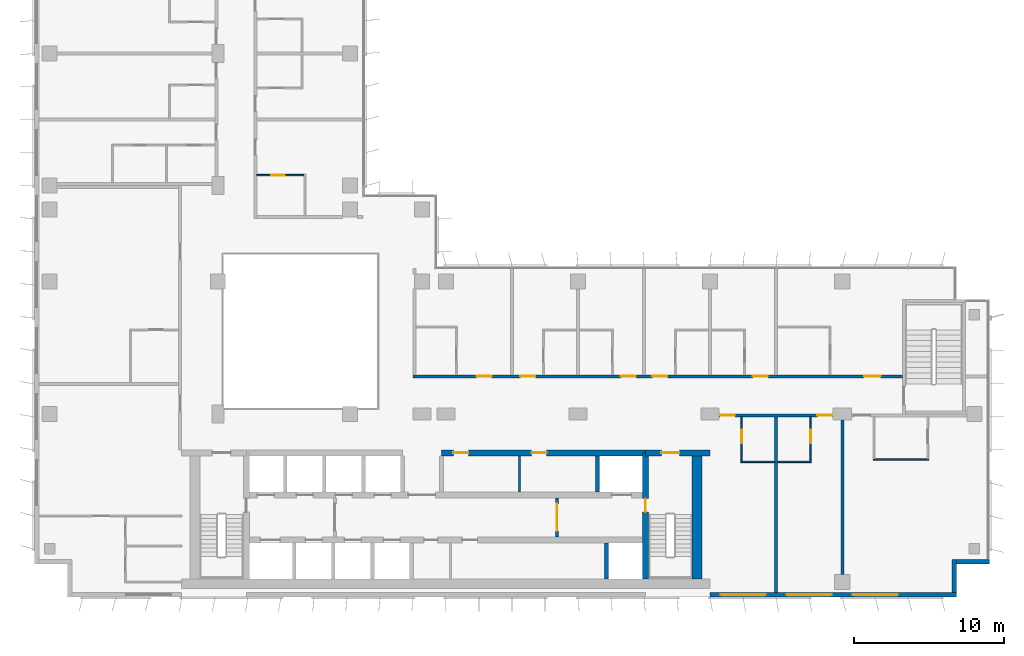
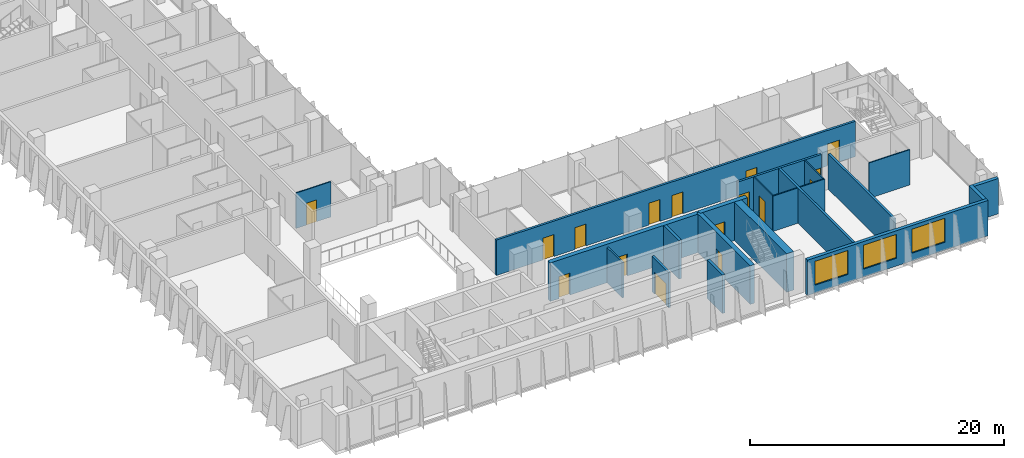
# One storey, part 14 of 21: 21 walls, 16 doors, 3 windows, 19 openings.
"""IFC4 building model written with IfcOpenShell, lengths in metres."""

from ifc_helpers import new_model, si_unit, direction, frame, frame_2d, origin, place, context, subcontext, project, spatial, rectangle, extrude, material, layer, layer_set, type_object, element, fill, save


model = new_model("IFC4")

# Units and contexts
model_context = context("Model", 3, precision=1e-05, world=origin(), true_north=direction((0.0, 1.0)))
body_context = subcontext(model_context, "Body", "Model", "MODEL_VIEW")
ifc_project = project(units=[si_unit("LENGTHUNIT", "METRE"), si_unit("AREAUNIT", "SQUARE_METRE"), si_unit("VOLUMEUNIT", "CUBIC_METRE"), si_unit("PLANEANGLEUNIT", "RADIAN"), si_unit("MASSUNIT", "GRAM", prefix="KILO")], contexts=[model_context])

# Site, building, storey
site_placement = place(None, origin())
site = spatial("IfcSite", under=ifc_project, at=site_placement, CompositionType="ELEMENT")
building_placement = place(site_placement, origin())
building = spatial("IfcBuilding", under=site, at=building_placement, Name="Kemantara Hotel Tower", CompositionType="ELEMENT")
storey_placement = place(building_placement, frame((0.0, 0.0, 156.800048828125)))
storey = spatial("IfcBuildingStorey", under=building, at=storey_placement, Name="L38", CompositionType="ELEMENT", Elevation=156.800048828125)

# Wall, openings, windows
ifc_material_1 = material(Name="Bronze anodised aluminium cladding on insulated steel stud wall", Category="steel")
ifc_layer_1 = layer(ifc_material_1, 0.300048828125)
ifc_layer_set_1 = layer_set([ifc_layer_1], Name="Bronze anodised aluminium cladding on insulated steel stud wall")
wall_type_1 = type_object("IfcWallType", Name="BRONZE METAL-CLAD EXTERNAL WALL 300", PredefinedType="STANDARD", material=ifc_layer_set_1)
wall_1_placement = place(storey_placement, frame((45.0, 0.14990234375, 0.0), z_axis=(0.0, 0.0, 1.0), x_axis=(1.0, 0.0, 0.0)))
wall_1 = element("IfcWall", 1, at=wall_1_placement, inside=storey, type_object=wall_type_1, Name="EXTERNAL WALL L38 T3-R08-3", PredefinedType="STANDARD", context=body_context, shape_type="SweptSolid", body=[
    extrude(rectangle(XDim=16.39990234375, YDim=0.300048828125, at=frame_2d((8.199951171875, 0.0))), origin(), (0.0, 0.0, 1.0), 3.39990234375),
])
opening_1_placement = place(wall_1_placement, frame((0.699951171875, 0.0, 0.75)))
opening_1 = element("IfcOpeningElement", 2, at=opening_1_placement, cuts=wall_1, Name="Opening W1", PredefinedType="OPENING", context=body_context, shape_type="SweptSolid", body=[
    extrude(rectangle(XDim=3.0, YDim=2.300048828125, at=frame_2d((1.5, 1.14990234375))), frame((0.0, 0.159912109375, 0.0), z_axis=(0.0, -1.0, 0.0), x_axis=(1.0, 0.0, 0.0)), (0.0, 0.0, 1.0), 0.320068359375),
])
opening_2_placement = place(wall_1_placement, frame((5.10009765625, 0.0, 0.75)))
opening_2 = element("IfcOpeningElement", 3, at=opening_2_placement, cuts=wall_1, Name="Opening W1", PredefinedType="OPENING", context=body_context, shape_type="SweptSolid", body=[
    extrude(rectangle(XDim=3.0, YDim=2.300048828125, at=frame_2d((1.5, 1.14990234375))), frame((0.0, 0.159912109375, 0.0), z_axis=(0.0, -1.0, 0.0), x_axis=(1.0, 0.0, 0.0)), (0.0, 0.0, 1.0), 0.320068359375),
])
opening_3_placement = place(wall_1_placement, frame((9.5, 0.0, 0.75)))
opening_3 = element("IfcOpeningElement", 4, at=opening_3_placement, cuts=wall_1, Name="Opening W1", PredefinedType="OPENING", context=body_context, shape_type="SweptSolid", body=[
    extrude(rectangle(XDim=3.0, YDim=2.300048828125, at=frame_2d((1.5, 1.14990234375))), frame((0.0, 0.159912109375, 0.0), z_axis=(0.0, -1.0, 0.0), x_axis=(1.0, 0.0, 0.0)), (0.0, 0.0, 1.0), 0.320068359375),
])
ifc_material_2 = material(Name="Low-E tinted double insulated glass in bronze anodised aluminium frame", Category="aluminium")
window_type = type_object("IfcWindowType", Name="CHICAGO WINDOW, TRIPLE PANEL 3000x2300", PartitioningType="TRIPLE_PANEL_VERTICAL", PredefinedType="WINDOW", material=ifc_material_2)
window_1_placement = place(opening_1_placement, origin())
window_1 = element("IfcWindow", 5, at=window_1_placement, inside=storey, type_object=window_type, Name="CHICAGO WINDOW L38 T3-R08-450", OverallHeight=2.300048828125, OverallWidth=3.0, PartitioningType="SINGLE_PANEL", PredefinedType="WINDOW", context=body_context, shape_type="SweptSolid", body=[
    extrude(rectangle(XDim=3.0, YDim=2.300048828125, at=frame_2d((1.5, 1.14990234375))), frame((0.0, 0.030029296875, 0.0), z_axis=(0.0, -1.0, 0.0), x_axis=(1.0, 0.0, 0.0)), (0.0, 0.0, 1.0), 0.06005859375),
])
fill(opening_1, window_1)
window_2_placement = place(opening_2_placement, origin())
window_2 = element("IfcWindow", 6, at=window_2_placement, inside=storey, type_object=window_type, Name="CHICAGO WINDOW L38 T3-R08-494", OverallHeight=2.300048828125, OverallWidth=3.0, PartitioningType="SINGLE_PANEL", PredefinedType="WINDOW", context=body_context, shape_type="SweptSolid", body=[
    extrude(rectangle(XDim=3.0, YDim=2.300048828125, at=frame_2d((1.5, 1.14990234375))), frame((0.0, 0.030029296875, 0.0), z_axis=(0.0, -1.0, 0.0), x_axis=(1.0, 0.0, 0.0)), (0.0, 0.0, 1.0), 0.06005859375),
])
fill(opening_2, window_2)
window_3_placement = place(opening_3_placement, origin())
window_3 = element("IfcWindow", 7, at=window_3_placement, inside=storey, type_object=window_type, Name="CHICAGO WINDOW L38 T3-R08-538", OverallHeight=2.300048828125, OverallWidth=3.0, PartitioningType="SINGLE_PANEL", PredefinedType="WINDOW", context=body_context, shape_type="SweptSolid", body=[
    extrude(rectangle(XDim=3.0, YDim=2.300048828125, at=frame_2d((1.5, 1.14990234375))), frame((0.0, 0.030029296875, 0.0), z_axis=(0.0, -1.0, 0.0), x_axis=(1.0, 0.0, 0.0)), (0.0, 0.0, 1.0), 0.06005859375),
])
fill(opening_3, window_3)

# Walls
wall_2_placement = place(storey_placement, frame((61.25, 0.300048828125, 0.0), z_axis=(0.0, 0.0, 1.0), x_axis=(0.0, 1.0, 0.0)))
element("IfcWall", 8, at=wall_2_placement, inside=storey, type_object=wall_type_1, Name="EXTERNAL WALL L38 T3-R09", PredefinedType="STANDARD", context=body_context, shape_type="SweptSolid", body=[
    extrude(rectangle(XDim=2.199951171875, YDim=0.300048828125, at=frame_2d((1.10009765625, 0.0))), origin(), (0.0, 0.0, 1.0), 3.39990234375),
])
wall_3_placement = place(storey_placement, frame((61.39990234375, 2.35009765625, 0.0), z_axis=(0.0, 0.0, 1.0), x_axis=(1.0, 0.0, 0.0)))
element("IfcWall", 9, at=wall_3_placement, inside=storey, type_object=wall_type_1, Name="EXTERNAL WALL L38 T3-R10", PredefinedType="STANDARD", context=body_context, shape_type="SweptSolid", body=[
    extrude(rectangle(XDim=2.2001953125, YDim=0.300048828125, at=frame_2d((1.10009765625, 0.0))), origin(), (0.0, 0.0, 1.0), 3.39990234375),
])
ifc_material_3 = material(Name="Concrete fc 60 MPa", Category="concrete")
ifc_layer_2 = layer(ifc_material_3, 0.25)
ifc_layer_set_2 = layer_set([ifc_layer_2], Name="Concrete fc 60 MPa")
wall_type_2 = type_object("IfcWallType", Name="CORE WALL 250 FC60", PredefinedType="SHEAR", material=ifc_layer_set_2)
wall_4_placement = place(storey_placement, frame((38.10009765625, 1.199951171875, 0.0), z_axis=(0.0, 0.0, 1.0), x_axis=(0.0, 1.0, 0.0)))
element("IfcWall", 10, at=wall_4_placement, inside=storey, type_object=wall_type_2, Name="CORE WALL CW-DS38.1", PredefinedType="SHEAR", context=body_context, shape_type="SweptSolid", body=[
    extrude(rectangle(XDim=2.400146484375, YDim=0.25, at=frame_2d((1.2001953125, 0.0))), origin(), (0.0, 0.0, 1.0), 3.699951171875),
])
wall_5_placement = place(storey_placement, frame((37.5, 7.0, 0.0), z_axis=(0.0, 0.0, 1.0), x_axis=(0.0, 1.0, 0.0)))
element("IfcWall", 11, at=wall_5_placement, inside=storey, type_object=wall_type_2, Name="CORE WALL CW-DN37.5", PredefinedType="SHEAR", context=body_context, shape_type="SweptSolid", body=[
    extrude(rectangle(XDim=2.39990234375, YDim=0.25, at=frame_2d((1.199951171875, 0.0))), origin(), (0.0, 0.0, 1.0), 3.699951171875),
])

# Wall, opening, door
ifc_layer_3 = layer(ifc_material_3, 0.39990234375)
ifc_layer_set_3 = layer_set([ifc_layer_3], Name="Concrete fc 60 MPa")
wall_type_3 = type_object("IfcWallType", Name="CORE WALL 400 FC60", PredefinedType="SHEAR", material=ifc_layer_set_3)
wall_6_placement = place(storey_placement, frame((40.699951171875, 9.60009765625, 0.0), z_axis=(0.0, 0.0, 1.0), x_axis=(1.0, 0.0, 0.0)))
wall_6 = element("IfcWall", 12, at=wall_6_placement, inside=storey, type_object=wall_type_3, Name="CORE WALL CW-N2", PredefinedType="SHEAR", context=body_context, shape_type="SweptSolid", body=[
    extrude(rectangle(XDim=4.300048828125, YDim=0.39990234375, at=frame_2d((2.14990234375, 0.0))), origin(), (0.0, 0.0, 1.0), 3.699951171875),
])
opening_4_placement = place(wall_6_placement, frame((1.050048828125, 0.0, 0.0)))
opening_4 = element("IfcOpeningElement", 13, at=opening_4_placement, cuts=wall_6, Name="Opening C25-ST2-C", PredefinedType="OPENING", context=body_context, shape_type="SweptSolid", body=[
    extrude(rectangle(XDim=1.199951171875, YDim=2.10009765625, at=frame_2d((0.60009765625, 1.050048828125))), frame((0.0, 0.2099609375, 0.0), z_axis=(0.0, -1.0, 0.0), x_axis=(1.0, 0.0, 0.0)), (0.0, 0.0, 1.0), 0.419921875),
])
ifc_material_4 = material(Name="Steel fire door", Category="steel")
door_type_1 = type_object("IfcDoorType", Name="Fire door FD90 1200 x 2100", OperationType="NOTDEFINED", PredefinedType="DOOR", material=ifc_material_4)
door_1_placement = place(opening_4_placement, frame((1.199951171875, 0.0, 0.0), z_axis=(0.0, 0.0, 1.0), x_axis=(-1.0, 0.0, 0.0)))
door_1 = element("IfcDoor", 14, at=door_1_placement, inside=storey, type_object=door_type_1, Name="Stair ST2 door to corridor", OperationType="SINGLE_SWING_RIGHT", OverallHeight=2.10009765625, OverallWidth=1.199951171875, PredefinedType="DOOR", context=body_context, shape_type="SweptSolid", body=[
    extrude(rectangle(XDim=1.199951171875, YDim=2.10009765625, at=frame_2d((0.60009765625, 1.050048828125))), frame((0.0, 0.02490234375, 0.0), z_axis=(0.0, -1.0, 0.0), x_axis=(1.0, 0.0, 0.0)), (0.0, 0.0, 1.0), 0.050048828125),
])
fill(opening_4, door_1)

# Wall, openings, doors
wall_7_placement = place(storey_placement, frame((27.10009765625, 9.60009765625, 0.0), z_axis=(0.0, 0.0, 1.0), x_axis=(1.0, 0.0, 0.0)))
wall_7 = element("IfcWall", 15, at=wall_7_placement, inside=storey, type_object=wall_type_3, Name="CORE WALL CW-NN2", PredefinedType="SHEAR", context=body_context, shape_type="SweptSolid", body=[
    extrude(rectangle(XDim=13.599853515625, YDim=0.39990234375, at=frame_2d((6.7998046875, 0.0))), origin(), (0.0, 0.0, 1.0), 3.699951171875),
])
opening_5_placement = place(wall_7_placement, frame((0.800048828125, 0.0, 0.0)))
opening_5 = element("IfcOpeningElement", 16, at=opening_5_placement, cuts=wall_7, Name="Opening C25-R-NE1", PredefinedType="OPENING", context=body_context, shape_type="SweptSolid", body=[
    extrude(rectangle(XDim=1.0, YDim=2.10009765625, at=frame_2d((0.5, 1.050048828125))), frame((0.0, 0.2099609375, 0.0), z_axis=(0.0, -1.0, 0.0), x_axis=(1.0, 0.0, 0.0)), (0.0, 0.0, 1.0), 0.419921875),
])
opening_6_placement = place(wall_7_placement, frame((6.0, 0.0, 0.0)))
opening_6 = element("IfcOpeningElement", 17, at=opening_6_placement, cuts=wall_7, Name="Opening C25-R-NE2", PredefinedType="OPENING", context=body_context, shape_type="SweptSolid", body=[
    extrude(rectangle(XDim=1.0, YDim=2.10009765625, at=frame_2d((0.5, 1.050048828125))), frame((0.0, 0.2099609375, 0.0), z_axis=(0.0, -1.0, 0.0), x_axis=(1.0, 0.0, 0.0)), (0.0, 0.0, 1.0), 0.419921875),
])
door_type_2 = type_object("IfcDoorType", Name="Fire door FD30S 1000 x 2100", OperationType="NOTDEFINED", PredefinedType="DOOR", material=ifc_material_4)
door_2_placement = place(opening_5_placement, frame((1.0, 0.0, 0.0), z_axis=(0.0, 0.0, 1.0), x_axis=(-1.0, 0.0, 0.0)))
door_2 = element("IfcDoor", 18, at=door_2_placement, inside=storey, type_object=door_type_2, Name="Housekeeping Store door", OperationType="SINGLE_SWING_RIGHT", OverallHeight=2.10009765625, OverallWidth=1.0, PredefinedType="DOOR", context=body_context, shape_type="SweptSolid", body=[
    extrude(rectangle(XDim=1.0, YDim=2.10009765625, at=frame_2d((0.5, 1.050048828125))), frame((0.0, 0.02490234375, 0.0), z_axis=(0.0, -1.0, 0.0), x_axis=(1.0, 0.0, 0.0)), (0.0, 0.0, 1.0), 0.050048828125),
])
fill(opening_5, door_2)
door_type_3 = type_object("IfcDoorType", Name="Fire door FD60 1000 x 2100", OperationType="NOTDEFINED", PredefinedType="DOOR", material=ifc_material_4)
door_3_placement = place(opening_6_placement, frame((1.0, 0.0, 0.0), z_axis=(0.0, 0.0, 1.0), x_axis=(-1.0, 0.0, 0.0)))
door_3 = element("IfcDoor", 19, at=door_3_placement, inside=storey, type_object=door_type_3, Name="It Equipment Room door", OperationType="SINGLE_SWING_RIGHT", OverallHeight=2.10009765625, OverallWidth=1.0, PredefinedType="DOOR", context=body_context, shape_type="SweptSolid", body=[
    extrude(rectangle(XDim=1.0, YDim=2.10009765625, at=frame_2d((0.5, 1.050048828125))), frame((0.0, 0.02490234375, 0.0), z_axis=(0.0, -1.0, 0.0), x_axis=(1.0, 0.0, 0.0)), (0.0, 0.0, 1.0), 0.050048828125),
])
fill(opening_6, door_3)

# Wall, opening, door
wall_8_placement = place(storey_placement, frame((40.699951171875, 1.199951171875, 0.0), z_axis=(0.0, 0.0, 1.0), x_axis=(0.0, 1.0, 0.0)))
wall_8 = element("IfcWall", 20, at=wall_8_placement, inside=storey, type_object=wall_type_3, Name="CORE WALL CW-ST2W", PredefinedType="SHEAR", context=body_context, shape_type="SweptSolid", body=[
    extrude(rectangle(XDim=8.400146484375, YDim=0.39990234375, at=frame_2d((4.2001953125, 0.0))), origin(), (0.0, 0.0, 1.0), 3.699951171875),
])
opening_7_placement = place(wall_8_placement, frame((4.449951171875, 0.0, 0.0)))
opening_7 = element("IfcOpeningElement", 21, at=opening_7_placement, cuts=wall_8, Name="Opening C25-ST2-F", PredefinedType="OPENING", context=body_context, shape_type="SweptSolid", body=[
    extrude(rectangle(XDim=0.89990234375, YDim=2.10009765625, at=frame_2d((0.449951171875, 1.050048828125))), frame((0.0, 0.2099609375, 0.0), z_axis=(0.0, -1.0, 0.0), x_axis=(1.0, 0.0, 0.0)), (0.0, 0.0, 1.0), 0.419921875),
])
door_type_4 = type_object("IfcDoorType", Name="Fire door FD90 900 x 2100", OperationType="NOTDEFINED", PredefinedType="DOOR", material=ifc_material_4)
door_4_placement = place(opening_7_placement, frame((0.89990234375, 0.0, 0.0), z_axis=(0.0, 0.0, 1.0), x_axis=(-1.0, 0.0, 0.0)))
door_4 = element("IfcDoor", 22, at=door_4_placement, inside=storey, type_object=door_type_4, Name="Stair ST2 door to firefighting lobby", OperationType="SINGLE_SWING_LEFT", OverallHeight=2.10009765625, OverallWidth=0.89990234375, PredefinedType="DOOR", context=body_context, shape_type="SweptSolid", body=[
    extrude(rectangle(XDim=0.89990234375, YDim=2.10009765625, at=frame_2d((0.449951171875, 1.050048828125))), frame((0.0, 0.02490234375, 0.0), z_axis=(0.0, -1.0, 0.0), x_axis=(1.0, 0.0, 0.0)), (0.0, 0.0, 1.0), 0.050048828125),
])
fill(opening_7, door_4)

# Wall
ifc_layer_4 = layer(ifc_material_3, 0.64990234375)
ifc_layer_set_4 = layer_set([ifc_layer_4], Name="Concrete fc 60 MPa")
wall_type_4 = type_object("IfcWallType", Name="CORE WALL 650 FC60", PredefinedType="SHEAR", material=ifc_layer_set_4)
wall_9_placement = place(storey_placement, frame((44.125, 1.199951171875, 0.0), z_axis=(0.0, 0.0, 1.0), x_axis=(0.0, 1.0, 0.0)))
element("IfcWall", 23, at=wall_9_placement, inside=storey, type_object=wall_type_4, Name="CORE WALL CW-E", PredefinedType="SHEAR", context=body_context, shape_type="SweptSolid", body=[
    extrude(rectangle(XDim=8.60009765625, YDim=0.64990234375, at=frame_2d((4.300048828125, 0.0))), origin(), (0.0, 0.0, 1.0), 3.699951171875),
])

# Wall, openings, doors
ifc_material_5 = material(Name="Gypsum board partition, steel studs and mineral wool, 200 mm", Category="steel")
ifc_layer_5 = layer(ifc_material_5, 0.199951171875)
ifc_layer_set_5 = layer_set([ifc_layer_5], Name="Gypsum board partition, steel studs and mineral wool, 200 mm")
wall_type_5 = type_object("IfcWallType", Name="CORRIDOR WALL 200", PredefinedType="PARTITIONING", material=ifc_layer_set_5)
wall_10_placement = place(storey_placement, frame((53.199951171875, 12.10009765625, 0.0), z_axis=(0.0, 0.0, 1.0), x_axis=(-1.0, 0.0, 0.0)))
wall_10 = element("IfcWall", 24, at=wall_10_placement, inside=storey, type_object=wall_type_5, Name="CORRIDOR WALL 200 001", PredefinedType="PARTITIONING", context=body_context, shape_type="SweptSolid", body=[
    extrude(rectangle(XDim=7.599853515625, YDim=0.199951171875, at=frame_2d((3.7998046875, 0.0))), origin(), (0.0, 0.0, 1.0), 3.39990234375),
])
opening_8_placement = place(wall_10_placement, frame((6.5498046875, 0.0, 0.0)))
opening_8 = element("IfcOpeningElement", 25, at=opening_8_placement, cuts=wall_10, Name="Opening F17-001", PredefinedType="OPENING", context=body_context, shape_type="SweptSolid", body=[
    extrude(rectangle(XDim=1.0, YDim=2.10009765625, at=frame_2d((0.5, 1.050048828125))), frame((0.0, 0.10986328125, 0.0), z_axis=(0.0, -1.0, 0.0), x_axis=(1.0, 0.0, 0.0)), (0.0, 0.0, 1.0), 0.219970703125),
])
opening_9_placement = place(wall_10_placement, frame((0.0498046875, 0.0, 0.0)))
opening_9 = element("IfcOpeningElement", 26, at=opening_9_placement, cuts=wall_10, Name="Opening F17-003", PredefinedType="OPENING", context=body_context, shape_type="SweptSolid", body=[
    extrude(rectangle(XDim=1.0, YDim=2.10009765625, at=frame_2d((0.5, 1.050048828125))), frame((0.0, 0.10986328125, 0.0), z_axis=(0.0, -1.0, 0.0), x_axis=(1.0, 0.0, 0.0)), (0.0, 0.0, 1.0), 0.219970703125),
])
ifc_material_6 = material(Name="Hardwood veneer door leaf with steel frame", Category="steel")
door_type_5 = type_object("IfcDoorType", Name="GUEST ROOM DOOR 1000 X 2100 FD30S", OperationType="NOTDEFINED", PredefinedType="DOOR", material=ifc_material_6)
door_5_placement = place(opening_8_placement, origin())
door_5 = element("IfcDoor", 27, at=door_5_placement, inside=storey, type_object=door_type_5, Name="GUEST ROOM DOOR F17-001", OperationType="SINGLE_SWING_RIGHT", OverallHeight=2.10009765625, OverallWidth=1.0, PredefinedType="DOOR", context=body_context, shape_type="SweptSolid", body=[
    extrude(rectangle(XDim=1.0, YDim=2.10009765625, at=frame_2d((0.5, 1.050048828125))), frame((0.0, 0.02490234375, 0.0), z_axis=(0.0, -1.0, 0.0), x_axis=(1.0, 0.0, 0.0)), (0.0, 0.0, 1.0), 0.050048828125),
])
fill(opening_8, door_5)
door_6_placement = place(opening_9_placement, origin())
door_6 = element("IfcDoor", 28, at=door_6_placement, inside=storey, type_object=door_type_5, Name="GUEST ROOM DOOR F17-003", OperationType="SINGLE_SWING_LEFT", OverallHeight=2.10009765625, OverallWidth=1.0, PredefinedType="DOOR", context=body_context, shape_type="SweptSolid", body=[
    extrude(rectangle(XDim=1.0, YDim=2.10009765625, at=frame_2d((0.5, 1.050048828125))), frame((0.0, 0.02490234375, 0.0), z_axis=(0.0, -1.0, 0.0), x_axis=(1.0, 0.0, 0.0)), (0.0, 0.0, 1.0), 0.050048828125),
])
fill(opening_9, door_6)

wall_11_placement = place(storey_placement, frame((25.199951171875, 14.699951171875, 0.0), z_axis=(0.0, 0.0, 1.0), x_axis=(1.0, 0.0, 0.0)))
wall_11 = element("IfcWall", 29, at=wall_11_placement, inside=storey, type_object=wall_type_5, Name="CORRIDOR WALL 200 006", PredefinedType="PARTITIONING", context=body_context, shape_type="SweptSolid", body=[
    extrude(rectangle(XDim=32.60009765625, YDim=0.199951171875, at=frame_2d((16.300048828125, 0.0))), origin(), (0.0, 0.0, 1.0), 3.39990234375),
])
opening_10_placement = place(wall_11_placement, frame((4.25, 0.0, 0.0)))
opening_10 = element("IfcOpeningElement", 30, at=opening_10_placement, cuts=wall_11, Name="Opening F17-007", PredefinedType="OPENING", context=body_context, shape_type="SweptSolid", body=[
    extrude(rectangle(XDim=1.0, YDim=2.10009765625, at=frame_2d((0.5, 1.050048828125))), frame((0.0, 0.10986328125, 0.0), z_axis=(0.0, -1.0, 0.0), x_axis=(1.0, 0.0, 0.0)), (0.0, 0.0, 1.0), 0.219970703125),
])
opening_11_placement = place(wall_11_placement, frame((7.14990234375, 0.0, 0.0)))
opening_11 = element("IfcOpeningElement", 31, at=opening_11_placement, cuts=wall_11, Name="Opening F17-009", PredefinedType="OPENING", context=body_context, shape_type="SweptSolid", body=[
    extrude(rectangle(XDim=1.0, YDim=2.10009765625, at=frame_2d((0.5, 1.050048828125))), frame((0.0, 0.10986328125, 0.0), z_axis=(0.0, -1.0, 0.0), x_axis=(1.0, 0.0, 0.0)), (0.0, 0.0, 1.0), 0.219970703125),
])
opening_12_placement = place(wall_11_placement, frame((13.85009765625, 0.0, 0.0)))
opening_12 = element("IfcOpeningElement", 32, at=opening_12_placement, cuts=wall_11, Name="Opening F17-011", PredefinedType="OPENING", context=body_context, shape_type="SweptSolid", body=[
    extrude(rectangle(XDim=1.0, YDim=2.10009765625, at=frame_2d((0.5, 1.050048828125))), frame((0.0, 0.10986328125, 0.0), z_axis=(0.0, -1.0, 0.0), x_axis=(1.0, 0.0, 0.0)), (0.0, 0.0, 1.0), 0.219970703125),
])
opening_13_placement = place(wall_11_placement, frame((15.949951171875, 0.0, 0.0)))
opening_13 = element("IfcOpeningElement", 33, at=opening_13_placement, cuts=wall_11, Name="Opening F17-013", PredefinedType="OPENING", context=body_context, shape_type="SweptSolid", body=[
    extrude(rectangle(XDim=1.0, YDim=2.10009765625, at=frame_2d((0.5, 1.050048828125))), frame((0.0, 0.10986328125, 0.0), z_axis=(0.0, -1.0, 0.0), x_axis=(1.0, 0.0, 0.0)), (0.0, 0.0, 1.0), 0.219970703125),
])
opening_14_placement = place(wall_11_placement, frame((22.64990234375, 0.0, 0.0)))
opening_14 = element("IfcOpeningElement", 34, at=opening_14_placement, cuts=wall_11, Name="Opening F17-015", PredefinedType="OPENING", context=body_context, shape_type="SweptSolid", body=[
    extrude(rectangle(XDim=1.0, YDim=2.10009765625, at=frame_2d((0.5, 1.050048828125))), frame((0.0, 0.10986328125, 0.0), z_axis=(0.0, -1.0, 0.0), x_axis=(1.0, 0.0, 0.0)), (0.0, 0.0, 1.0), 0.219970703125),
])
opening_15_placement = place(wall_11_placement, frame((30.050048828125, 0.0, 0.0)))
opening_15 = element("IfcOpeningElement", 35, at=opening_15_placement, cuts=wall_11, Name="Opening F17-017", PredefinedType="OPENING", context=body_context, shape_type="SweptSolid", body=[
    extrude(rectangle(XDim=1.10009765625, YDim=2.10009765625, at=frame_2d((0.550048828125, 1.050048828125))), frame((0.0, 0.10986328125, 0.0), z_axis=(0.0, -1.0, 0.0), x_axis=(1.0, 0.0, 0.0)), (0.0, 0.0, 1.0), 0.219970703125),
])
door_7_placement = place(opening_10_placement, origin())
door_7 = element("IfcDoor", 36, at=door_7_placement, inside=storey, type_object=door_type_5, Name="GUEST ROOM DOOR F17-007", OperationType="SINGLE_SWING_RIGHT", OverallHeight=2.10009765625, OverallWidth=1.0, PredefinedType="DOOR", context=body_context, shape_type="SweptSolid", body=[
    extrude(rectangle(XDim=1.0, YDim=2.10009765625, at=frame_2d((0.5, 1.050048828125))), frame((0.0, 0.02490234375, 0.0), z_axis=(0.0, -1.0, 0.0), x_axis=(1.0, 0.0, 0.0)), (0.0, 0.0, 1.0), 0.050048828125),
])
fill(opening_10, door_7)
door_8_placement = place(opening_11_placement, origin())
door_8 = element("IfcDoor", 37, at=door_8_placement, inside=storey, type_object=door_type_5, Name="GUEST ROOM DOOR F17-009", OperationType="SINGLE_SWING_LEFT", OverallHeight=2.10009765625, OverallWidth=1.0, PredefinedType="DOOR", context=body_context, shape_type="SweptSolid", body=[
    extrude(rectangle(XDim=1.0, YDim=2.10009765625, at=frame_2d((0.5, 1.050048828125))), frame((0.0, 0.02490234375, 0.0), z_axis=(0.0, -1.0, 0.0), x_axis=(1.0, 0.0, 0.0)), (0.0, 0.0, 1.0), 0.050048828125),
])
fill(opening_11, door_8)
door_9_placement = place(opening_12_placement, origin())
door_9 = element("IfcDoor", 38, at=door_9_placement, inside=storey, type_object=door_type_5, Name="GUEST ROOM DOOR F17-011", OperationType="SINGLE_SWING_RIGHT", OverallHeight=2.10009765625, OverallWidth=1.0, PredefinedType="DOOR", context=body_context, shape_type="SweptSolid", body=[
    extrude(rectangle(XDim=1.0, YDim=2.10009765625, at=frame_2d((0.5, 1.050048828125))), frame((0.0, 0.02490234375, 0.0), z_axis=(0.0, -1.0, 0.0), x_axis=(1.0, 0.0, 0.0)), (0.0, 0.0, 1.0), 0.050048828125),
])
fill(opening_12, door_9)
door_10_placement = place(opening_13_placement, origin())
door_10 = element("IfcDoor", 39, at=door_10_placement, inside=storey, type_object=door_type_5, Name="GUEST ROOM DOOR F17-013", OperationType="SINGLE_SWING_LEFT", OverallHeight=2.10009765625, OverallWidth=1.0, PredefinedType="DOOR", context=body_context, shape_type="SweptSolid", body=[
    extrude(rectangle(XDim=1.0, YDim=2.10009765625, at=frame_2d((0.5, 1.050048828125))), frame((0.0, 0.02490234375, 0.0), z_axis=(0.0, -1.0, 0.0), x_axis=(1.0, 0.0, 0.0)), (0.0, 0.0, 1.0), 0.050048828125),
])
fill(opening_13, door_10)
door_11_placement = place(opening_14_placement, origin())
door_11 = element("IfcDoor", 40, at=door_11_placement, inside=storey, type_object=door_type_5, Name="GUEST ROOM DOOR F17-015", OperationType="SINGLE_SWING_RIGHT", OverallHeight=2.10009765625, OverallWidth=1.0, PredefinedType="DOOR", context=body_context, shape_type="SweptSolid", body=[
    extrude(rectangle(XDim=1.0, YDim=2.10009765625, at=frame_2d((0.5, 1.050048828125))), frame((0.0, 0.02490234375, 0.0), z_axis=(0.0, -1.0, 0.0), x_axis=(1.0, 0.0, 0.0)), (0.0, 0.0, 1.0), 0.050048828125),
])
fill(opening_14, door_11)
door_type_6 = type_object("IfcDoorType", Name="SUITE ENTRANCE DOOR 1100 X 2100 FD30S", OperationType="NOTDEFINED", PredefinedType="DOOR", material=ifc_material_6)
door_12_placement = place(opening_15_placement, origin())
door_12 = element("IfcDoor", 41, at=door_12_placement, inside=storey, type_object=door_type_6, Name="SUITE ENTRANCE DOOR F17-017", OperationType="SINGLE_SWING_RIGHT", OverallHeight=2.10009765625, OverallWidth=1.10009765625, PredefinedType="DOOR", context=body_context, shape_type="SweptSolid", body=[
    extrude(rectangle(XDim=1.10009765625, YDim=2.10009765625, at=frame_2d((0.550048828125, 1.050048828125))), frame((0.0, 0.02490234375, 0.0), z_axis=(0.0, -1.0, 0.0), x_axis=(1.0, 0.0, 0.0)), (0.0, 0.0, 1.0), 0.050048828125),
])
fill(opening_15, door_12)

# Walls
ifc_layer_6 = layer(ifc_material_5, 0.199951171875)
ifc_layer_set_6 = layer_set([ifc_layer_6], Name="Gypsum board partition, steel studs and mineral wool, 200 mm")
wall_type_6 = type_object("IfcWallType", Name="GUEST ROOM PARTY WALL 200", PredefinedType="PARTITIONING", material=ifc_layer_set_6)
wall_12_placement = place(storey_placement, frame((49.39990234375, 0.31005859375, 0.0), z_axis=(0.0, 0.0, 1.0), x_axis=(0.0, 1.0, 0.0)))
element("IfcWall", 42, at=wall_12_placement, inside=storey, type_object=wall_type_6, Name="GUEST ROOM PARTY WALL 200 003", PredefinedType="PARTITIONING", context=body_context, shape_type="SweptSolid", body=[
    extrude(rectangle(XDim=11.68994140625, YDim=0.199951171875, at=frame_2d((5.844970703125, 0.0))), origin(), (0.0, 0.0, 1.0), 3.39990234375),
])
wall_13_placement = place(storey_placement, frame((53.800048828125, 1.5, 0.0), z_axis=(0.0, 0.0, 1.0), x_axis=(0.0, 1.0, 0.0)))
element("IfcWall", 43, at=wall_13_placement, inside=storey, type_object=wall_type_6, Name="GUEST ROOM PARTY WALL 200 005", PredefinedType="PARTITIONING", context=body_context, shape_type="SweptSolid", body=[
    extrude(rectangle(XDim=10.2998046875, YDim=0.199951171875, at=frame_2d((5.14990234375, 0.0))), origin(), (0.0, 0.0, 1.0), 3.39990234375),
])
ifc_material_7 = material(Name="Gypsum board partition")
ifc_layer_7 = layer(ifc_material_7, 0.14990234375)
ifc_layer_set_7 = layer_set([ifc_layer_7], Name="Gypsum board partition")
wall_type_7 = type_object("IfcWallType", Name="Gypsum board partition 150 mm", PredefinedType="PARTITIONING", material=ifc_layer_set_7)
wall_14_placement = place(storey_placement, frame((32.300048828125, 7.0, 0.0), z_axis=(0.0, 0.0, 1.0), x_axis=(0.0, 1.0, 0.0)))
element("IfcWall", 44, at=wall_14_placement, inside=storey, type_object=wall_type_7, Name="Core room partition", PredefinedType="PARTITIONING", context=body_context, shape_type="SweptSolid", body=[
    extrude(rectangle(XDim=2.39990234375, YDim=0.14990234375, at=frame_2d((1.199951171875, 0.0))), origin(), (0.0, 0.0, 1.0), 3.39990234375),
])

# Wall, opening, door
ifc_material_8 = material(Name="Gypsum board shaft wall")
ifc_layer_8 = layer(ifc_material_8, 0.199951171875)
ifc_layer_set_8 = layer_set([ifc_layer_8], Name="Gypsum board shaft wall")
wall_type_8 = type_object("IfcWallType", Name="Gypsum board shaft wall 200 mm", PredefinedType="PARTITIONING", material=ifc_layer_set_8)
wall_15_placement = place(storey_placement, frame((34.800048828125, 4.0, 0.0), z_axis=(0.0, 0.0, 1.0), x_axis=(0.0, 1.0, 0.0)))
wall_15 = element("IfcWall", 45, at=wall_15_placement, inside=storey, type_object=wall_type_8, Name="Firefighting lobby partition east", PredefinedType="PARTITIONING", context=body_context, shape_type="SweptSolid", body=[
    extrude(rectangle(XDim=2.60009765625, YDim=0.199951171875, at=frame_2d((1.300048828125, 0.0))), origin(), (0.0, 0.0, 1.0), 3.39990234375),
])
opening_16_placement = place(wall_15_placement, frame((0.39990234375, 0.0, 0.0)))
opening_16 = element("IfcOpeningElement", 46, at=opening_16_placement, cuts=wall_15, Name="Opening C25-FFE", PredefinedType="OPENING", context=body_context, shape_type="SweptSolid", body=[
    extrude(rectangle(XDim=1.800048828125, YDim=2.10009765625, at=frame_2d((0.89990234375, 1.050048828125))), frame((0.0, 0.10986328125, 0.0), z_axis=(0.0, -1.0, 0.0), x_axis=(1.0, 0.0, 0.0)), (0.0, 0.0, 1.0), 0.219970703125),
])
door_type_7 = type_object("IfcDoorType", Name="Fire door pair FD60 1800 x 2100", OperationType="DOUBLE_DOOR_SINGLE_SWING", PredefinedType="DOOR", material=ifc_material_4)
door_13_placement = place(opening_16_placement, frame((1.800048828125, 0.0, 0.0), z_axis=(0.0, 0.0, 1.0), x_axis=(-1.0, 0.0, 0.0)))
door_13 = element("IfcDoor", 47, at=door_13_placement, inside=storey, type_object=door_type_7, Name="Firefighting lobby door east", OperationType="DOUBLE_DOOR_SINGLE_SWING", OverallHeight=2.10009765625, OverallWidth=1.800048828125, PredefinedType="DOOR", context=body_context, shape_type="SweptSolid", body=[
    extrude(rectangle(XDim=1.800048828125, YDim=2.10009765625, at=frame_2d((0.89990234375, 1.050048828125))), frame((0.0, 0.02490234375, 0.0), z_axis=(0.0, -1.0, 0.0), x_axis=(1.0, 0.0, 0.0)), (0.0, 0.0, 1.0), 0.050048828125),
])
fill(opening_16, door_13)

# Walls
ifc_material_9 = material(Name="Gypsum board partition on steel studs, 100 mm", Category="steel")
ifc_layer_9 = layer(ifc_material_9, 0.10009765625)
ifc_layer_set_9 = layer_set([ifc_layer_9], Name="Gypsum board partition on steel studs, 100 mm")
wall_type_9 = type_object("IfcWallType", Name="ROOM PARTITION 100", PredefinedType="PARTITIONING", material=ifc_layer_set_9)
for number, where, z_axis, x_axis, name in (
    (48, (47.050048828125, 9.0, 0.0), (0.0, 0.0, 1.0), (1.0, 0.0, 0.0), "ROOM PARTITION 100 036"),
    (49, (49.5, 9.0, 0.0), (0.0, 0.0, 1.0), (1.0, 0.0, 0.0), "ROOM PARTITION 100 037"),
):
    element("IfcWall", number, at=place(storey_placement, frame(where, z_axis=z_axis, x_axis=x_axis)), inside=storey, type_object=wall_type_9, Name=name, PredefinedType="PARTITIONING", context=body_context, shape_type="SweptSolid", body=[
        extrude(rectangle(XDim=2.25, YDim=0.10009765625, at=frame_2d((1.125, 0.0))), origin(), (0.0, 0.0, 1.0), 3.39990234375),
    ])

# Wall, opening, door
wall_16_placement = place(storey_placement, frame((47.10009765625, 12.0, 0.0), z_axis=(0.0, 0.0, 1.0), x_axis=(0.0, -1.0, 0.0)))
wall_16 = element("IfcWall", 50, at=wall_16_placement, inside=storey, type_object=wall_type_9, Name="ROOM PARTITION 100 038", PredefinedType="PARTITIONING", context=body_context, shape_type="SweptSolid", body=[
    extrude(rectangle(XDim=2.949951171875, YDim=0.10009765625, at=frame_2d((1.47509765625, 0.0))), origin(), (0.0, 0.0, 1.0), 3.39990234375),
])
opening_17_placement = place(wall_16_placement, frame((0.85009765625, 0.0, 0.0)))
opening_17 = element("IfcOpeningElement", 51, at=opening_17_placement, cuts=wall_16, Name="Opening F17-002", PredefinedType="OPENING", context=body_context, shape_type="SweptSolid", body=[
    extrude(rectangle(XDim=0.89990234375, YDim=2.10009765625, at=frame_2d((0.449951171875, 1.050048828125))), frame((0.0, 0.06005859375, 0.0), z_axis=(0.0, -1.0, 0.0), x_axis=(1.0, 0.0, 0.0)), (0.0, 0.0, 1.0), 0.1201171875),
])
door_type_8 = type_object("IfcDoorType", Name="BATHROOM DOOR 900 X 2100", OperationType="NOTDEFINED", PredefinedType="DOOR", material=ifc_material_6)
door_14_placement = place(opening_17_placement, origin())
door_14 = element("IfcDoor", 52, at=door_14_placement, inside=storey, type_object=door_type_8, Name="BATHROOM DOOR F17-002", OperationType="SINGLE_SWING_LEFT", OverallHeight=2.10009765625, OverallWidth=0.89990234375, PredefinedType="DOOR", context=body_context, shape_type="SweptSolid", body=[
    extrude(rectangle(XDim=0.89990234375, YDim=2.10009765625, at=frame_2d((0.449951171875, 1.050048828125))), frame((0.0, 0.02490234375, 0.0), z_axis=(0.0, -1.0, 0.0), x_axis=(1.0, 0.0, 0.0)), (0.0, 0.0, 1.0), 0.050048828125),
])
fill(opening_17, door_14)

wall_17_placement = place(storey_placement, frame((51.699951171875, 9.050048828125, 0.0), z_axis=(0.0, 0.0, 1.0), x_axis=(0.0, 1.0, 0.0)))
wall_17 = element("IfcWall", 53, at=wall_17_placement, inside=storey, type_object=wall_type_9, Name="ROOM PARTITION 100 039", PredefinedType="PARTITIONING", context=body_context, shape_type="SweptSolid", body=[
    extrude(rectangle(XDim=2.949951171875, YDim=0.10009765625, at=frame_2d((1.47509765625, 0.0))), origin(), (0.0, 0.0, 1.0), 3.39990234375),
])
opening_18_placement = place(wall_17_placement, frame((1.199951171875, 0.0, 0.0)))
opening_18 = element("IfcOpeningElement", 54, at=opening_18_placement, cuts=wall_17, Name="Opening F17-004", PredefinedType="OPENING", context=body_context, shape_type="SweptSolid", body=[
    extrude(rectangle(XDim=0.89990234375, YDim=2.10009765625, at=frame_2d((0.449951171875, 1.050048828125))), frame((0.0, 0.06005859375, 0.0), z_axis=(0.0, -1.0, 0.0), x_axis=(1.0, 0.0, 0.0)), (0.0, 0.0, 1.0), 0.1201171875),
])
door_15_placement = place(opening_18_placement, origin())
door_15 = element("IfcDoor", 55, at=door_15_placement, inside=storey, type_object=door_type_8, Name="BATHROOM DOOR F17-004", OperationType="SINGLE_SWING_RIGHT", OverallHeight=2.10009765625, OverallWidth=0.89990234375, PredefinedType="DOOR", context=body_context, shape_type="SweptSolid", body=[
    extrude(rectangle(XDim=0.89990234375, YDim=2.10009765625, at=frame_2d((0.449951171875, 1.050048828125))), frame((0.0, 0.02490234375, 0.0), z_axis=(0.0, -1.0, 0.0), x_axis=(1.0, 0.0, 0.0)), (0.0, 0.0, 1.0), 0.050048828125),
])
fill(opening_18, door_15)

# Wall
wall_18_placement = place(storey_placement, frame((55.85009765625, 9.14990234375, 0.0), z_axis=(0.0, 0.0, 1.0), x_axis=(1.0, 0.0, 0.0)))
element("IfcWall", 56, at=wall_18_placement, inside=storey, type_object=wall_type_9, Name="ROOM PARTITION 100 040", PredefinedType="PARTITIONING", context=body_context, shape_type="SweptSolid", body=[
    extrude(rectangle(XDim=3.699951171875, YDim=0.10009765625, at=frame_2d((1.85009765625, 0.0))), origin(), (0.0, 0.0, 1.0), 3.39990234375),
])

# Wall, opening, door
wall_19_placement = place(storey_placement, frame((17.949951171875, 28.10009765625, 0.0), z_axis=(0.0, 0.0, 1.0), x_axis=(-1.0, 0.0, 0.0)))
wall_19 = element("IfcWall", 57, at=wall_19_placement, inside=storey, type_object=wall_type_9, Name="ROOM PARTITION 100 075", PredefinedType="PARTITIONING", context=body_context, shape_type="SweptSolid", body=[
    extrude(rectangle(XDim=3.14990234375, YDim=0.10009765625, at=frame_2d((1.574951171875, 0.0))), origin(), (0.0, 0.0, 1.0), 3.39990234375),
])
opening_19_placement = place(wall_19_placement, frame((1.300048828125, 0.0, 0.0)))
opening_19 = element("IfcOpeningElement", 58, at=opening_19_placement, cuts=wall_19, Name="Opening F17-039", PredefinedType="OPENING", context=body_context, shape_type="SweptSolid", body=[
    extrude(rectangle(XDim=0.89990234375, YDim=2.10009765625, at=frame_2d((0.449951171875, 1.050048828125))), frame((0.0, 0.06005859375, 0.0), z_axis=(0.0, -1.0, 0.0), x_axis=(1.0, 0.0, 0.0)), (0.0, 0.0, 1.0), 0.1201171875),
])
door_16_placement = place(opening_19_placement, origin())
door_16 = element("IfcDoor", 59, at=door_16_placement, inside=storey, type_object=door_type_8, Name="BATHROOM DOOR F17-039", OperationType="SINGLE_SWING_RIGHT", OverallHeight=2.10009765625, OverallWidth=0.89990234375, PredefinedType="DOOR", context=body_context, shape_type="SweptSolid", body=[
    extrude(rectangle(XDim=0.89990234375, YDim=2.10009765625, at=frame_2d((0.449951171875, 1.050048828125))), frame((0.0, 0.02490234375, 0.0), z_axis=(0.0, -1.0, 0.0), x_axis=(1.0, 0.0, 0.0)), (0.0, 0.0, 1.0), 0.050048828125),
])
fill(opening_19, door_16)

save(model, "model.ifc")
